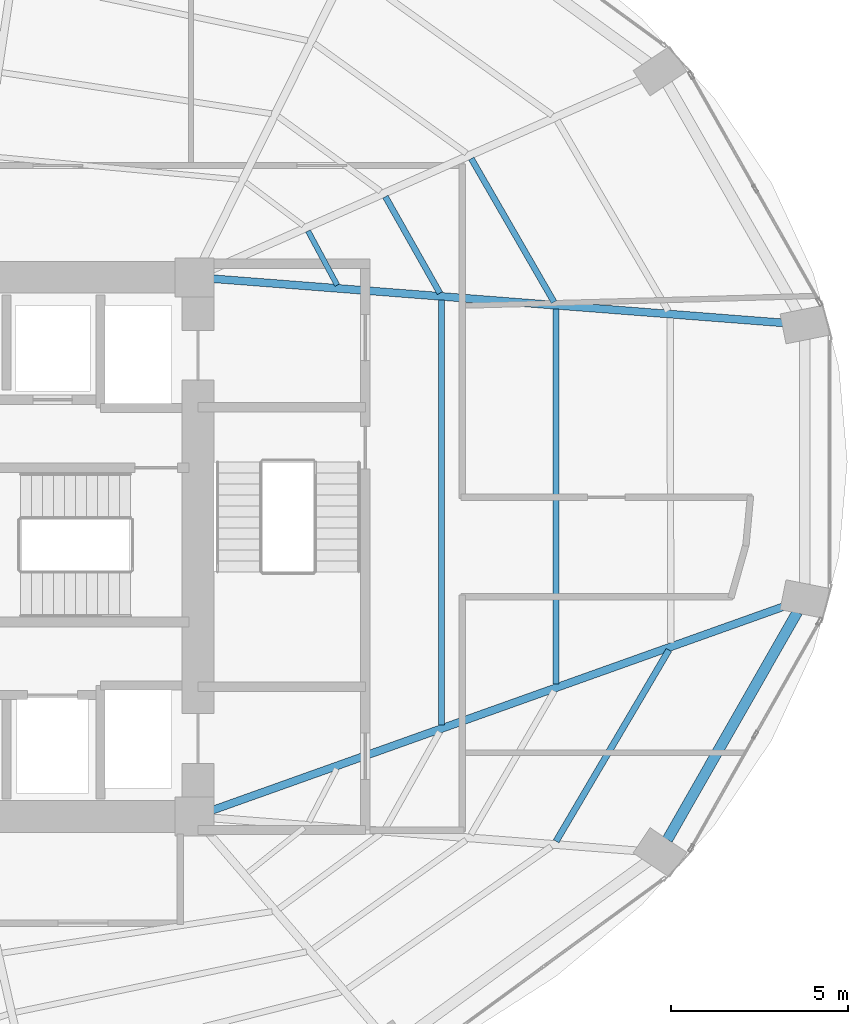
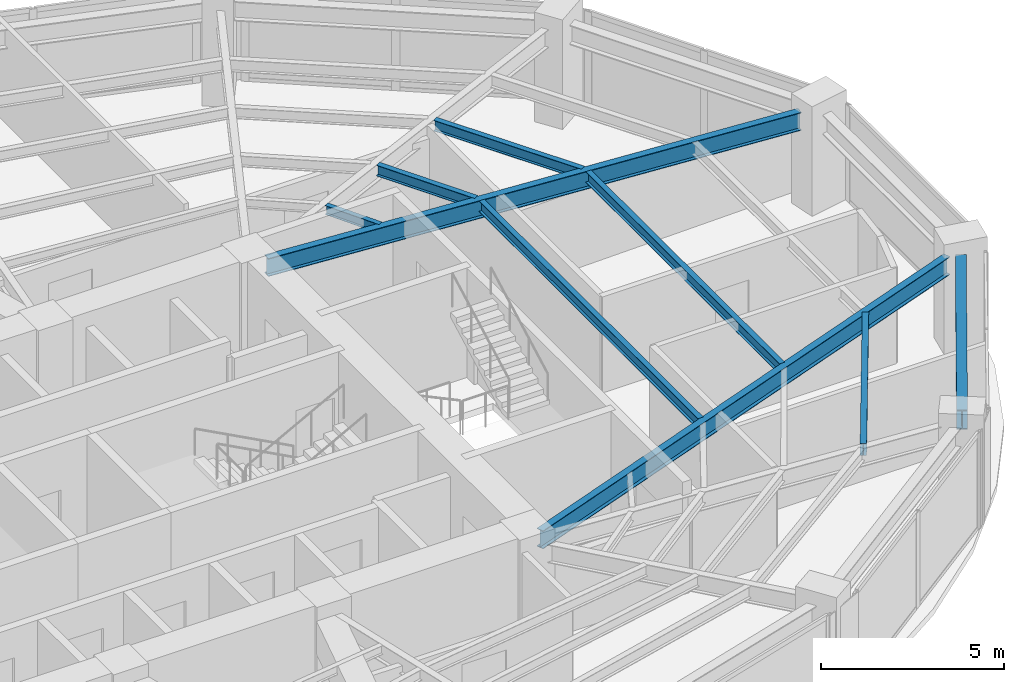
# One storey, part 11 of 24: 9 beams.
"""IFC4 building model written with IfcOpenShell, lengths in metres."""

from ifc_helpers import new_model, si_unit, direction, frame, origin, origin_2d, place, context, subcontext, project, spatial, i_section, extrude, material, material_profile, profile_set, type_object, element, save


model = new_model("IFC4")

# Units and contexts
model_context = context("Model", 3, precision=1e-05, world=origin(), true_north=direction((0.0, 1.0)))
body_context = subcontext(model_context, "Body", "Model", "MODEL_VIEW")
ifc_project = project(units=[si_unit("LENGTHUNIT", "METRE"), si_unit("AREAUNIT", "SQUARE_METRE"), si_unit("VOLUMEUNIT", "CUBIC_METRE"), si_unit("PLANEANGLEUNIT", "RADIAN"), si_unit("MASSUNIT", "GRAM", prefix="KILO")], contexts=[model_context])

# Site, building, storey
site_placement = place(None, origin())
site = spatial("IfcSite", under=ifc_project, at=site_placement, CompositionType="ELEMENT")
building_placement = place(site_placement, origin())
building = spatial("IfcBuilding", under=site, at=building_placement, Name="Lazwardi Medical Tower", CompositionType="ELEMENT")
storey_placement = place(building_placement, frame((0.0, 0.0, 72.6240234375)))
storey = spatial("IfcBuildingStorey", under=building, at=storey_placement, Name="L18", CompositionType="ELEMENT", Elevation=72.6240234375)

# Beams
ifc_material = material(Name="Steel S355", Category="steel")
ifc_material_profile_1 = material_profile(ifc_material, i_section(OverallWidth=0.300048828125, OverallDepth=0.64990234375, WebThickness=0.01611328125, FlangeThickness=0.031005859375, at=origin_2d()), Name="HEB 650")
ifc_profile_set_1 = profile_set([ifc_material_profile_1], Name="Steel S355")
beam_type_1 = type_object("IfcBeamType", Name="BM-RB-Z1", PredefinedType="BEAM", material=ifc_profile_set_1)
beam_1_placement = place(storey_placement, frame((58.927978515625, 19.75048828125, 2.873046875), z_axis=(0.495829348644, 0.868419977328, 0.0), x_axis=(-0.868419977328, 0.495829348644, 0.0)))
element("IfcBeam", 1, at=beam_1_placement, inside=storey, type_object=beam_type_1, Name="Ring beam RB-02 B03 L18", PredefinedType="BEAM", context=body_context, shape_type="SweptSolid", body=[
    extrude(i_section(OverallWidth=0.300048828125, OverallDepth=0.64990234375, WebThickness=0.01611328125, FlangeThickness=0.031005859375, at=origin_2d()), origin(), (0.0, 0.0, 1.0), 7.38916015625),
])
ifc_material_profile_2 = material_profile(ifc_material, i_section(OverallWidth=0.219970703125, OverallDepth=0.60009765625, WebThickness=0.011962890625, FlangeThickness=0.01904296875, at=origin_2d()), Name="IPE 600")
ifc_profile_set_2 = profile_set([ifc_material_profile_2], Name="Steel S355")
beam_type_2 = type_object("IfcBeamType", Name="BM-RG-W1", PredefinedType="BEAM", material=ifc_profile_set_2)
beam_2_placement = place(storey_placement, frame((62.253662109375, 26.33740234375, 2.89794921875), z_axis=(-0.941925080425, -0.335823082688, 0.0), x_axis=(0.335823082688, -0.941925080425, 0.0)))
element("IfcBeam", 2, at=beam_2_placement, inside=storey, type_object=beam_type_2, Name="Radial girder RG-02 R04 L18", PredefinedType="BEAM", context=body_context, shape_type="SweptSolid", body=[
    extrude(i_section(OverallWidth=0.219970703125, OverallDepth=0.60009765625, WebThickness=0.011962890625, FlangeThickness=0.01904296875, at=origin_2d()), origin(), (0.0, 0.0, 1.0), 17.145263671875),
])
beam_3_placement = place(storey_placement, frame((62.2216796875, 34.3125, 2.89794921875), z_axis=(-0.997013942066, 0.077221754231, 0.0), x_axis=(-0.077221754231, -0.997013942066, 0.0)))
element("IfcBeam", 3, at=beam_3_placement, inside=storey, type_object=beam_type_2, Name="Radial girder RG-02 R05 L18", PredefinedType="BEAM", context=body_context, shape_type="SweptSolid", body=[
    extrude(i_section(OverallWidth=0.219970703125, OverallDepth=0.60009765625, WebThickness=0.011962890625, FlangeThickness=0.01904296875, at=origin_2d()), origin(), (0.0, 0.0, 1.0), 16.136474609375),
])
ifc_material_profile_3 = material_profile(ifc_material, i_section(OverallWidth=0.179931640625, OverallDepth=0.39990234375, WebThickness=0.008544921875, FlangeThickness=0.013427734375, at=origin_2d()), Name="IPE 400")
ifc_profile_set_3 = profile_set([ifc_material_profile_3], Name="Steel S355")
beam_type_3 = type_object("IfcBeamType", Name="BM-SJ-01", PredefinedType="JOIST", material=ifc_profile_set_3)
beam_4_placement = place(storey_placement, frame((55.793212890625, 19.70654296875, 2.998046875), z_axis=(0.507886270937, 0.861424132349, 0.0), x_axis=(-0.861424132349, 0.507886270937, 0.0)))
element("IfcBeam", 4, at=beam_4_placement, inside=storey, type_object=beam_type_3, Name="Secondary joist SJ-01 R1 B03 L18", PredefinedType="JOIST", context=body_context, shape_type="SweptSolid", body=[
    extrude(i_section(OverallWidth=0.179931640625, OverallDepth=0.39990234375, WebThickness=0.008544921875, FlangeThickness=0.013427734375, at=origin_2d()), origin(), (0.0, 0.0, 1.0), 6.255859375),
])
ifc_material_profile_4 = material_profile(ifc_material, i_section(OverallWidth=0.169921875, OverallDepth=0.360107421875, WebThickness=0.008056640625, FlangeThickness=0.0126953125, at=origin_2d()), Name="IPE 360")
ifc_profile_set_4 = profile_set([ifc_material_profile_4], Name="Steel S355")
beam_type_4 = type_object("IfcBeamType", Name="BM-SJ-02", PredefinedType="JOIST", material=ifc_profile_set_4)
beam_5_placement = place(storey_placement, frame((55.793701171875, 24.139404296875, 3.01806640625), z_axis=(-0.000670039821, 0.999999775523, 0.0), x_axis=(-0.999999775523, -0.000670039821, 0.0)))
element("IfcBeam", 5, at=beam_5_placement, inside=storey, type_object=beam_type_4, Name="Secondary joist SJ-02 R2 B04 L18", PredefinedType="JOIST", context=body_context, shape_type="SweptSolid", body=[
    extrude(i_section(OverallWidth=0.169921875, OverallDepth=0.360107421875, WebThickness=0.008056640625, FlangeThickness=0.0126953125, at=origin_2d()), origin(), (0.0, 0.0, 1.0), 10.566650390625),
])
beam_6_placement = place(storey_placement, frame((55.73388671875, 34.90185546875, 3.01806640625), z_axis=(-0.499785866494, 0.866148998529, 0.0), x_axis=(-0.866148998529, -0.499785866494, 0.0)))
element("IfcBeam", 6, at=beam_6_placement, inside=storey, type_object=beam_type_4, Name="Secondary joist SJ-02 R2 B05 L18", PredefinedType="JOIST", context=body_context, shape_type="SweptSolid", body=[
    extrude(i_section(OverallWidth=0.169921875, OverallDepth=0.360107421875, WebThickness=0.008056640625, FlangeThickness=0.0126953125, at=origin_2d()), origin(), (0.0, 0.0, 1.0), 4.666015625),
])
beam_7_placement = place(storey_placement, frame((52.56396484375, 22.98779296875, 3.01806640625), z_axis=(0.000387612685, 0.999999924878, 0.0), x_axis=(-0.999999924878, 0.000387612685, 0.0)))
element("IfcBeam", 7, at=beam_7_placement, inside=storey, type_object=beam_type_4, Name="Secondary joist SJ-02 R3 B04 L18", PredefinedType="JOIST", context=body_context, shape_type="SweptSolid", body=[
    extrude(i_section(OverallWidth=0.169921875, OverallDepth=0.360107421875, WebThickness=0.008056640625, FlangeThickness=0.0126953125, at=origin_2d()), origin(), (0.0, 0.0, 1.0), 11.96728515625),
])
beam_8_placement = place(storey_placement, frame((52.51708984375, 35.151611328125, 3.01806640625), z_axis=(-0.491923287977, 0.870638546554, 0.0), x_axis=(-0.870638546554, -0.491923287977, 0.0)))
element("IfcBeam", 8, at=beam_8_placement, inside=storey, type_object=beam_type_4, Name="Secondary joist SJ-02 R3 B05 L18", PredefinedType="JOIST", context=body_context, shape_type="SweptSolid", body=[
    extrude(i_section(OverallWidth=0.169921875, OverallDepth=0.360107421875, WebThickness=0.008056640625, FlangeThickness=0.0126953125, at=origin_2d()), origin(), (0.0, 0.0, 1.0), 3.122802734375),
])
ifc_material_profile_5 = material_profile(ifc_material, i_section(OverallWidth=0.14990234375, OverallDepth=0.300048828125, WebThickness=0.007080078125, FlangeThickness=0.0107421875, at=origin_2d()), Name="IPE 300")
ifc_profile_set_5 = profile_set([ifc_material_profile_5], Name="Steel S355")
beam_type_5 = type_object("IfcBeamType", Name="BM-SJ-03", PredefinedType="JOIST", material=ifc_profile_set_5)
beam_9_placement = place(storey_placement, frame((49.623046875, 35.376953125, 3.048095703125), z_axis=(-0.473982292828, 0.880534375301, 0.0), x_axis=(-0.880534375301, -0.473982292828, 0.0)))
element("IfcBeam", 9, at=beam_9_placement, inside=storey, type_object=beam_type_5, Name="Secondary joist SJ-03 R4 B05 L18", PredefinedType="JOIST", context=body_context, shape_type="SweptSolid", body=[
    extrude(i_section(OverallWidth=0.14990234375, OverallDepth=0.300048828125, WebThickness=0.007080078125, FlangeThickness=0.0107421875, at=origin_2d()), origin(), (0.0, 0.0, 1.0), 1.734375),
])

save(model, "model.ifc")
